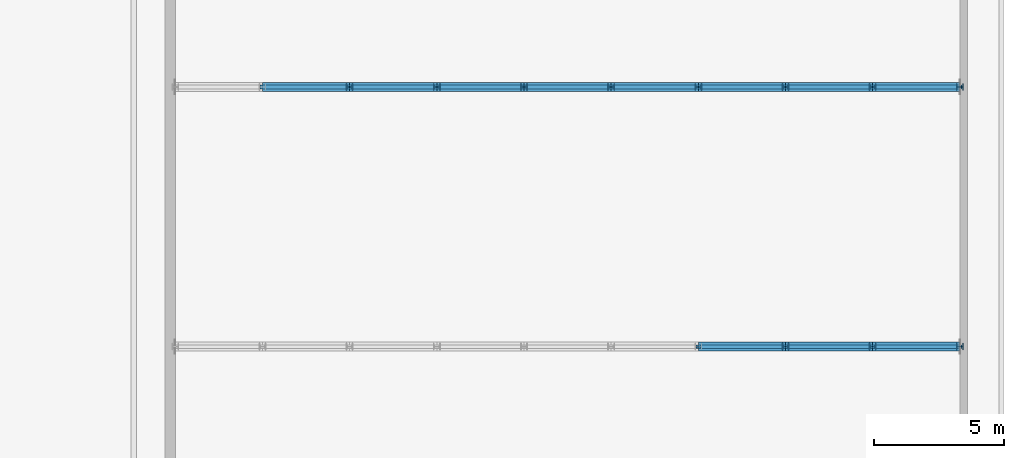
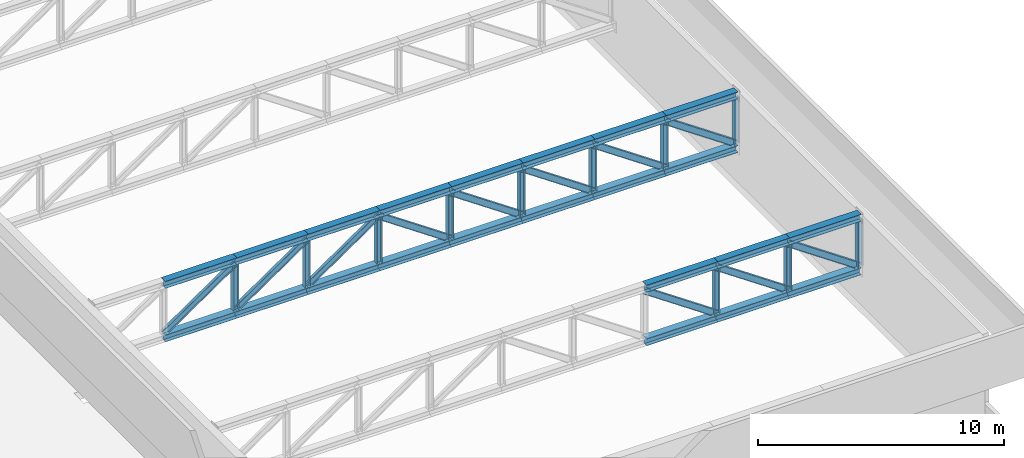
# One storey, part 11 of 31: 44 members.
"""IFC4 building model written with IfcOpenShell, lengths in metres."""

from ifc_helpers import new_model, si_unit, direction, frame, origin, origin_2d, place, context, subcontext, project, spatial, i_section, extrude, material, material_profile, profile_set, type_object, element, save


model = new_model("IFC4")

# Units and contexts
model_context = context("Model", 3, precision=1e-05, world=origin(), true_north=direction((0.0, 1.0)))
body_context = subcontext(model_context, "Body", "Model", "MODEL_VIEW")
ifc_project = project(units=[si_unit("LENGTHUNIT", "METRE"), si_unit("AREAUNIT", "SQUARE_METRE"), si_unit("VOLUMEUNIT", "CUBIC_METRE"), si_unit("PLANEANGLEUNIT", "RADIAN"), si_unit("MASSUNIT", "GRAM", prefix="KILO")], contexts=[model_context])

# Site, building, storey
site_placement = place(None, origin())
site = spatial("IfcSite", under=ifc_project, at=site_placement, CompositionType="ELEMENT")
building_placement = place(site_placement, origin())
building = spatial("IfcBuilding", under=site, at=building_placement, Name="Jabali Bay Hotel Tower and Convention Centre", CompositionType="ELEMENT")
storey_placement = place(building_placement, frame((0.0, 0.0, 25.39990234375)))
storey = spatial("IfcBuildingStorey", under=building, at=storey_placement, Name="L04", CompositionType="ELEMENT", Elevation=25.39990234375)

# Members
ifc_material = material(Name="Steel Q355B", Category="steel")
ifc_material_profile_1 = material_profile(ifc_material, i_section(OverallWidth=0.35009765625, OverallDepth=0.35009765625, WebThickness=0.011962890625, FlangeThickness=0.01904296875, at=origin_2d()), Name="HW350x350x12x19")
ifc_profile_set_1 = profile_set([ifc_material_profile_1], Name="Steel Q355B")
member_type_1 = type_object("IfcMemberType", Name="CC Roof Truss Chord HW350x350x12x19", PredefinedType="CHORD", material=ifc_profile_set_1)
for number, where, z_axis, x_axis, name in (
    (1, (241.033447265625, 70.0, 4.3251953125), (1.0, 0.0, 0.0), (0.0, 1.0, 0.0), "CC roof truss P1 top chord 7"),
    (2, (241.033447265625, 70.0, 1.675048828125), (1.0, 0.0, 0.0), (0.0, 1.0, 0.0), "CC roof truss P1 bottom chord 7"),
    (3, (244.388916015625, 70.0, 4.3251953125), (1.0, 0.0, 0.0), (0.0, 1.0, 0.0), "CC roof truss P1 top chord 8"),
    (4, (244.388916015625, 70.0, 1.675048828125), (1.0, 0.0, 0.0), (0.0, 1.0, 0.0), "CC roof truss P1 bottom chord 8"),
):
    element("IfcMember", number, at=place(storey_placement, frame(where, z_axis=z_axis, x_axis=x_axis)), inside=storey, type_object=member_type_1, Name=name, PredefinedType="CHORD", context=body_context, shape_type="SweptSolid", body=[
        extrude(i_section(OverallWidth=0.35009765625, OverallDepth=0.35009765625, WebThickness=0.011962890625, FlangeThickness=0.01904296875, at=origin_2d()), origin(), (0.0, 0.0, 1.0), 3.35546875),
    ])
for number, where, z_axis, x_axis, name in (
    (5, (247.744384765625, 70.0, 4.3251953125), (1.0, 0.0, 0.0), (0.0, 1.0, 0.0), "CC roof truss P1 top chord 9"),
    (6, (247.744384765625, 70.0, 1.675048828125), (1.0, 0.0, 0.0), (0.0, 1.0, 0.0), "CC roof truss P1 bottom chord 9"),
):
    element("IfcMember", number, at=place(storey_placement, frame(where, z_axis=z_axis, x_axis=x_axis)), inside=storey, type_object=member_type_1, Name=name, PredefinedType="CHORD", context=body_context, shape_type="SweptSolid", body=[
        extrude(i_section(OverallWidth=0.35009765625, OverallDepth=0.35009765625, WebThickness=0.011962890625, FlangeThickness=0.01904296875, at=origin_2d()), origin(), (0.0, 0.0, 1.0), 3.355712890625),
    ])
for number, where, z_axis, x_axis, name in (
    (7, (224.255615234375, 80.0, 4.3251953125), (1.0, 0.0, 0.0), (0.0, 1.0, 0.0), "CC roof truss P2 top chord 2"),
    (8, (224.255615234375, 80.0, 1.675048828125), (1.0, 0.0, 0.0), (0.0, 1.0, 0.0), "CC roof truss P2 bottom chord 2"),
    (9, (227.611083984375, 80.0, 4.3251953125), (1.0, 0.0, 0.0), (0.0, 1.0, 0.0), "CC roof truss P2 top chord 3"),
    (10, (227.611083984375, 80.0, 1.675048828125), (1.0, 0.0, 0.0), (0.0, 1.0, 0.0), "CC roof truss P2 bottom chord 3"),
):
    element("IfcMember", number, at=place(storey_placement, frame(where, z_axis=z_axis, x_axis=x_axis)), inside=storey, type_object=member_type_1, Name=name, PredefinedType="CHORD", context=body_context, shape_type="SweptSolid", body=[
        extrude(i_section(OverallWidth=0.35009765625, OverallDepth=0.35009765625, WebThickness=0.011962890625, FlangeThickness=0.01904296875, at=origin_2d()), origin(), (0.0, 0.0, 1.0), 3.35546875),
    ])
for number, where, z_axis, x_axis, name in (
    (11, (230.966552734375, 80.0, 4.3251953125), (1.0, 0.0, 0.0), (0.0, 1.0, 0.0), "CC roof truss P2 top chord 4"),
    (12, (230.966552734375, 80.0, 1.675048828125), (1.0, 0.0, 0.0), (0.0, 1.0, 0.0), "CC roof truss P2 bottom chord 4"),
):
    element("IfcMember", number, at=place(storey_placement, frame(where, z_axis=z_axis, x_axis=x_axis)), inside=storey, type_object=member_type_1, Name=name, PredefinedType="CHORD", context=body_context, shape_type="SweptSolid", body=[
        extrude(i_section(OverallWidth=0.35009765625, OverallDepth=0.35009765625, WebThickness=0.011962890625, FlangeThickness=0.01904296875, at=origin_2d()), origin(), (0.0, 0.0, 1.0), 3.355712890625),
    ])
for number, where, z_axis, x_axis, name in (
    (13, (234.322265625, 80.0, 4.3251953125), (1.0, 0.0, 0.0), (0.0, 1.0, 0.0), "CC roof truss P2 top chord 5"),
    (14, (234.322265625, 80.0, 1.675048828125), (1.0, 0.0, 0.0), (0.0, 1.0, 0.0), "CC roof truss P2 bottom chord 5"),
):
    element("IfcMember", number, at=place(storey_placement, frame(where, z_axis=z_axis, x_axis=x_axis)), inside=storey, type_object=member_type_1, Name=name, PredefinedType="CHORD", context=body_context, shape_type="SweptSolid", body=[
        extrude(i_section(OverallWidth=0.35009765625, OverallDepth=0.35009765625, WebThickness=0.011962890625, FlangeThickness=0.01904296875, at=origin_2d()), origin(), (0.0, 0.0, 1.0), 3.35546875),
    ])
for number, where, z_axis, x_axis, name in (
    (15, (237.677734375, 80.0, 4.3251953125), (1.0, 0.0, 0.0), (0.0, 1.0, 0.0), "CC roof truss P2 top chord 6"),
    (16, (237.677734375, 80.0, 1.675048828125), (1.0, 0.0, 0.0), (0.0, 1.0, 0.0), "CC roof truss P2 bottom chord 6"),
):
    element("IfcMember", number, at=place(storey_placement, frame(where, z_axis=z_axis, x_axis=x_axis)), inside=storey, type_object=member_type_1, Name=name, PredefinedType="CHORD", context=body_context, shape_type="SweptSolid", body=[
        extrude(i_section(OverallWidth=0.35009765625, OverallDepth=0.35009765625, WebThickness=0.011962890625, FlangeThickness=0.01904296875, at=origin_2d()), origin(), (0.0, 0.0, 1.0), 3.355712890625),
    ])
for number, where, z_axis, x_axis, name in (
    (17, (241.033447265625, 80.0, 4.3251953125), (1.0, 0.0, 0.0), (0.0, 1.0, 0.0), "CC roof truss P2 top chord 7"),
    (18, (241.033447265625, 80.0, 1.675048828125), (1.0, 0.0, 0.0), (0.0, 1.0, 0.0), "CC roof truss P2 bottom chord 7"),
    (19, (244.388916015625, 80.0, 4.3251953125), (1.0, 0.0, 0.0), (0.0, 1.0, 0.0), "CC roof truss P2 top chord 8"),
    (20, (244.388916015625, 80.0, 1.675048828125), (1.0, 0.0, 0.0), (0.0, 1.0, 0.0), "CC roof truss P2 bottom chord 8"),
):
    element("IfcMember", number, at=place(storey_placement, frame(where, z_axis=z_axis, x_axis=x_axis)), inside=storey, type_object=member_type_1, Name=name, PredefinedType="CHORD", context=body_context, shape_type="SweptSolid", body=[
        extrude(i_section(OverallWidth=0.35009765625, OverallDepth=0.35009765625, WebThickness=0.011962890625, FlangeThickness=0.01904296875, at=origin_2d()), origin(), (0.0, 0.0, 1.0), 3.35546875),
    ])
for number, where, z_axis, x_axis, name in (
    (21, (247.744384765625, 80.0, 4.3251953125), (1.0, 0.0, 0.0), (0.0, 1.0, 0.0), "CC roof truss P2 top chord 9"),
    (22, (247.744384765625, 80.0, 1.675048828125), (1.0, 0.0, 0.0), (0.0, 1.0, 0.0), "CC roof truss P2 bottom chord 9"),
):
    element("IfcMember", number, at=place(storey_placement, frame(where, z_axis=z_axis, x_axis=x_axis)), inside=storey, type_object=member_type_1, Name=name, PredefinedType="CHORD", context=body_context, shape_type="SweptSolid", body=[
        extrude(i_section(OverallWidth=0.35009765625, OverallDepth=0.35009765625, WebThickness=0.011962890625, FlangeThickness=0.01904296875, at=origin_2d()), origin(), (0.0, 0.0, 1.0), 3.355712890625),
    ])
ifc_material_profile_2 = material_profile(ifc_material, i_section(OverallWidth=0.14990234375, OverallDepth=0.300048828125, WebThickness=0.006591796875, FlangeThickness=0.009033203125, at=origin_2d()), Name="HN300x150x6.5x9")
ifc_profile_set_2 = profile_set([ifc_material_profile_2], Name="Steel Q355B")
member_type_2 = type_object("IfcMemberType", Name="CC Roof Truss Diagonal HN300x150x6.5x9", PredefinedType="BRACE", material=ifc_profile_set_2)
for number, where, z_axis, x_axis, name in (
    (23, (244.388916015625, 70.0, 1.85009765625), (-0.8248256078, 0.0, 0.565387227232), (0.0, -1.0, 0.0), "CC roof truss P1 diagonal 7"),
    (24, (247.744384765625, 70.0, 1.85009765625), (-0.8248256078, 0.0, 0.565387227232), (0.0, -1.0, 0.0), "CC roof truss P1 diagonal 8"),
):
    element("IfcMember", number, at=place(storey_placement, frame(where, z_axis=z_axis, x_axis=x_axis)), inside=storey, type_object=member_type_2, Name=name, PredefinedType="BRACE", context=body_context, shape_type="SweptSolid", body=[
        extrude(i_section(OverallWidth=0.14990234375, OverallDepth=0.300048828125, WebThickness=0.006591796875, FlangeThickness=0.009033203125, at=origin_2d()), origin(), (0.0, 0.0, 1.0), 4.068115234375),
    ])
member_1_placement = place(storey_placement, frame((251.10009765625, 70.0, 1.85009765625), z_axis=(-0.824844790455, 0.0, 0.565359241243), x_axis=(0.0, -1.0, 0.0)))
element("IfcMember", 25, at=member_1_placement, inside=storey, type_object=member_type_2, Name="CC roof truss P1 diagonal 9", PredefinedType="BRACE", context=body_context, shape_type="SweptSolid", body=[
    extrude(i_section(OverallWidth=0.14990234375, OverallDepth=0.300048828125, WebThickness=0.006591796875, FlangeThickness=0.009033203125, at=origin_2d()), origin(), (0.0, 0.0, 1.0), 4.068359375),
])
for number, where, z_axis, x_axis, name in (
    (26, (224.255615234375, 80.0, 1.85009765625), (0.8248256078, 0.0, 0.565387227232), (0.0, 1.0, 0.0), "CC roof truss P2 diagonal 2"),
    (27, (227.611083984375, 80.0, 1.85009765625), (0.8248256078, 0.0, 0.565387227232), (0.0, 1.0, 0.0), "CC roof truss P2 diagonal 3"),
):
    element("IfcMember", number, at=place(storey_placement, frame(where, z_axis=z_axis, x_axis=x_axis)), inside=storey, type_object=member_type_2, Name=name, PredefinedType="BRACE", context=body_context, shape_type="SweptSolid", body=[
        extrude(i_section(OverallWidth=0.14990234375, OverallDepth=0.300048828125, WebThickness=0.006591796875, FlangeThickness=0.009033203125, at=origin_2d()), origin(), (0.0, 0.0, 1.0), 4.068115234375),
    ])
member_2_placement = place(storey_placement, frame((230.966552734375, 80.0, 1.85009765625), z_axis=(0.824844790455, 0.0, 0.565359241243), x_axis=(0.0, 1.0, 0.0)))
element("IfcMember", 28, at=member_2_placement, inside=storey, type_object=member_type_2, Name="CC roof truss P2 diagonal 4", PredefinedType="BRACE", context=body_context, shape_type="SweptSolid", body=[
    extrude(i_section(OverallWidth=0.14990234375, OverallDepth=0.300048828125, WebThickness=0.006591796875, FlangeThickness=0.009033203125, at=origin_2d()), origin(), (0.0, 0.0, 1.0), 4.068359375),
])
member_3_placement = place(storey_placement, frame((237.677734375, 80.0, 1.85009765625), z_axis=(-0.8248256078, 0.0, 0.565387227232), x_axis=(0.0, -1.0, 0.0)))
element("IfcMember", 29, at=member_3_placement, inside=storey, type_object=member_type_2, Name="CC roof truss P2 diagonal 5", PredefinedType="BRACE", context=body_context, shape_type="SweptSolid", body=[
    extrude(i_section(OverallWidth=0.14990234375, OverallDepth=0.300048828125, WebThickness=0.006591796875, FlangeThickness=0.009033203125, at=origin_2d()), origin(), (0.0, 0.0, 1.0), 4.068115234375),
])
member_4_placement = place(storey_placement, frame((241.033447265625, 80.0, 1.85009765625), z_axis=(-0.824844790455, 0.0, 0.565359241243), x_axis=(0.0, -1.0, 0.0)))
element("IfcMember", 30, at=member_4_placement, inside=storey, type_object=member_type_2, Name="CC roof truss P2 diagonal 6", PredefinedType="BRACE", context=body_context, shape_type="SweptSolid", body=[
    extrude(i_section(OverallWidth=0.14990234375, OverallDepth=0.300048828125, WebThickness=0.006591796875, FlangeThickness=0.009033203125, at=origin_2d()), origin(), (0.0, 0.0, 1.0), 4.068359375),
])
for number, where, z_axis, x_axis, name in (
    (31, (244.388916015625, 80.0, 1.85009765625), (-0.8248256078, 0.0, 0.565387227232), (0.0, -1.0, 0.0), "CC roof truss P2 diagonal 7"),
    (32, (247.744384765625, 80.0, 1.85009765625), (-0.8248256078, 0.0, 0.565387227232), (0.0, -1.0, 0.0), "CC roof truss P2 diagonal 8"),
):
    element("IfcMember", number, at=place(storey_placement, frame(where, z_axis=z_axis, x_axis=x_axis)), inside=storey, type_object=member_type_2, Name=name, PredefinedType="BRACE", context=body_context, shape_type="SweptSolid", body=[
        extrude(i_section(OverallWidth=0.14990234375, OverallDepth=0.300048828125, WebThickness=0.006591796875, FlangeThickness=0.009033203125, at=origin_2d()), origin(), (0.0, 0.0, 1.0), 4.068115234375),
    ])
member_5_placement = place(storey_placement, frame((251.10009765625, 80.0, 1.85009765625), z_axis=(-0.824844790455, 0.0, 0.565359241243), x_axis=(0.0, -1.0, 0.0)))
element("IfcMember", 33, at=member_5_placement, inside=storey, type_object=member_type_2, Name="CC roof truss P2 diagonal 9", PredefinedType="BRACE", context=body_context, shape_type="SweptSolid", body=[
    extrude(i_section(OverallWidth=0.14990234375, OverallDepth=0.300048828125, WebThickness=0.006591796875, FlangeThickness=0.009033203125, at=origin_2d()), origin(), (0.0, 0.0, 1.0), 4.068359375),
])
ifc_material_profile_3 = material_profile(ifc_material, i_section(OverallWidth=0.25, OverallDepth=0.25, WebThickness=0.009033203125, FlangeThickness=0.013916015625, at=origin_2d()), Name="HW250x250x9x14")
ifc_profile_set_3 = profile_set([ifc_material_profile_3], Name="Steel Q355B")
member_type_3 = type_object("IfcMemberType", Name="CC Roof Truss Post HW250x250x9x14", PredefinedType="POST", material=ifc_profile_set_3)
for number, where, z_axis, x_axis, name in (
    (34, (244.388916015625, 70.0, 1.85009765625), (0.0, 0.0, 1.0), (0.0, 1.0, 0.0), "CC roof truss P1 post 8"),
    (35, (247.744384765625, 70.0, 1.85009765625), (0.0, 0.0, 1.0), (0.0, 1.0, 0.0), "CC roof truss P1 post 9"),
    (36, (251.10009765625, 70.0, 1.85009765625), (0.0, 0.0, 1.0), (0.0, 1.0, 0.0), "CC roof truss P1 post 10"),
    (37, (227.611083984375, 80.0, 1.85009765625), (0.0, 0.0, 1.0), (0.0, 1.0, 0.0), "CC roof truss P2 post 3"),
    (38, (230.966552734375, 80.0, 1.85009765625), (0.0, 0.0, 1.0), (0.0, 1.0, 0.0), "CC roof truss P2 post 4"),
    (39, (234.322265625, 80.0, 1.85009765625), (0.0, 0.0, 1.0), (0.0, 1.0, 0.0), "CC roof truss P2 post 5"),
    (40, (237.677734375, 80.0, 1.85009765625), (0.0, 0.0, 1.0), (0.0, 1.0, 0.0), "CC roof truss P2 post 6"),
    (41, (241.033447265625, 80.0, 1.85009765625), (0.0, 0.0, 1.0), (0.0, 1.0, 0.0), "CC roof truss P2 post 7"),
    (42, (244.388916015625, 80.0, 1.85009765625), (0.0, 0.0, 1.0), (0.0, 1.0, 0.0), "CC roof truss P2 post 8"),
    (43, (247.744384765625, 80.0, 1.85009765625), (0.0, 0.0, 1.0), (0.0, 1.0, 0.0), "CC roof truss P2 post 9"),
    (44, (251.10009765625, 80.0, 1.85009765625), (0.0, 0.0, 1.0), (0.0, 1.0, 0.0), "CC roof truss P2 post 10"),
):
    element("IfcMember", number, at=place(storey_placement, frame(where, z_axis=z_axis, x_axis=x_axis)), inside=storey, type_object=member_type_3, Name=name, PredefinedType="POST", context=body_context, shape_type="SweptSolid", body=[
        extrude(i_section(OverallWidth=0.25, OverallDepth=0.25, WebThickness=0.009033203125, FlangeThickness=0.013916015625, at=origin_2d()), origin(), (0.0, 0.0, 1.0), 2.300048828125),
    ])

save(model, "model.ifc")
